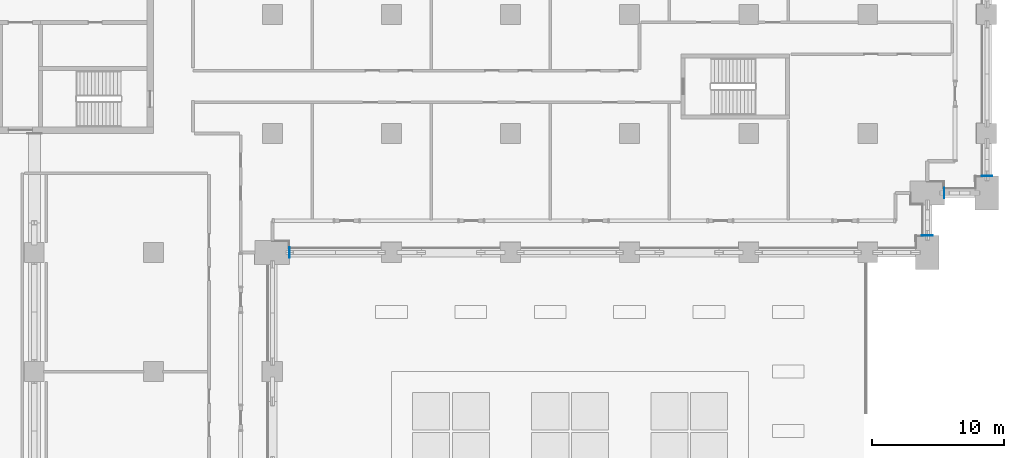
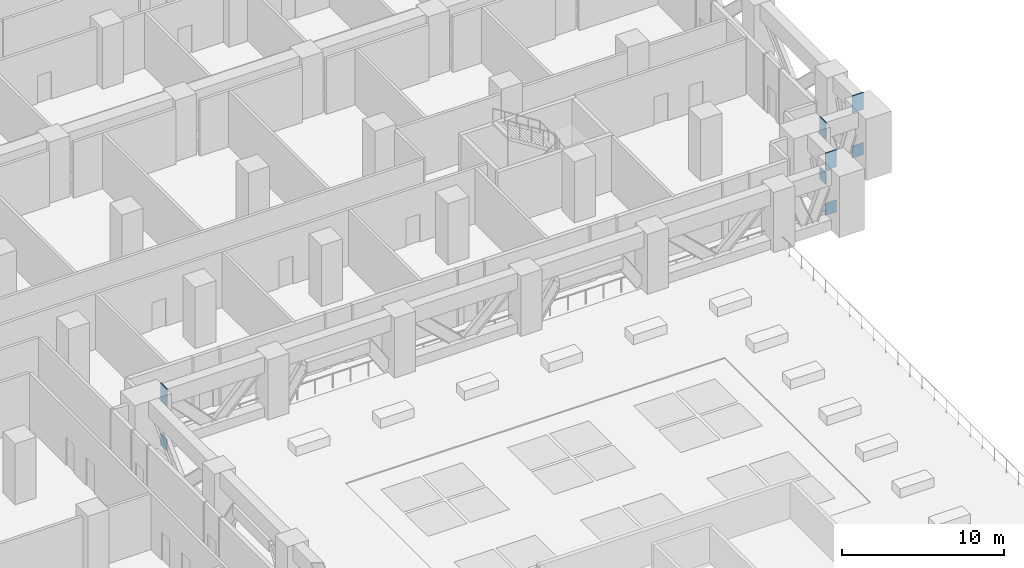
# One storey, part 25 of 31: 8 discrete accessories.
"""IFC4 building model written with IfcOpenShell, lengths in metres."""

from ifc_helpers import new_model, si_unit, direction, frame, origin, origin_2d, place, context, subcontext, project, spatial, rectangle, extrude, material, layer, layer_set, type_object, element, save


model = new_model("IFC4")

# Units and contexts
model_context = context("Model", 3, precision=1e-05, world=origin(), true_north=direction((0.0, 1.0)))
body_context = subcontext(model_context, "Body", "Model", "MODEL_VIEW")
ifc_project = project(units=[si_unit("LENGTHUNIT", "METRE"), si_unit("AREAUNIT", "SQUARE_METRE"), si_unit("VOLUMEUNIT", "CUBIC_METRE"), si_unit("PLANEANGLEUNIT", "RADIAN"), si_unit("MASSUNIT", "GRAM", prefix="KILO")], contexts=[model_context])

# Site, building, storey
site_placement = place(None, origin())
site = spatial("IfcSite", under=ifc_project, at=site_placement, CompositionType="ELEMENT")
building_placement = place(site_placement, origin())
building = spatial("IfcBuilding", under=site, at=building_placement, Name="Hunhe Ridgeline Campus", CompositionType="ELEMENT")
storey_placement = place(building_placement, frame((0.0, 0.0, 31.199951171875)))
storey = spatial("IfcBuildingStorey", under=building, at=storey_placement, Name="L06", CompositionType="ELEMENT", Elevation=31.199951171875)

# Discrete accessories
ifc_material = material(Name="Steel Q420", Category="steel")
ifc_layer_1 = layer(ifc_material, 0.030029296875)
ifc_layer_set_1 = layer_set([ifc_layer_1], Name="Gusset plate 800x1300x30 Steel Q420")
discrete_accessory_type_1 = type_object("IfcDiscreteAccessoryType", Name="Gusset plate 800x1300x30 Steel Q420", PredefinedType="BRACKET", material=ifc_layer_set_1)
for number, where, z_axis, x_axis, name in (
    (1, (46.284912109375, 54.0, 3.35009765625), (0.0, 0.0, 1.0), (-1.0, 0.0, 0.0), "Gusset plate BT1 L06 35"),
    (2, (94.5, 55.284912109375, 3.35009765625), (0.0, 0.0, 1.0), (0.0, -1.0, 0.0), "Gusset plate BT1 L06 37"),
    (3, (95.784912109375, 58.5, 3.35009765625), (0.0, 0.0, 1.0), (-1.0, 0.0, 0.0), "Gusset plate BT1 L06 39"),
    (4, (99.0, 59.784912109375, 3.35009765625), (0.0, 0.0, 1.0), (0.0, -1.0, 0.0), "Gusset plate BT1 L06 41"),
):
    element("IfcDiscreteAccessory", number, at=place(storey_placement, frame(where, z_axis=z_axis, x_axis=x_axis)), inside=storey, type_object=discrete_accessory_type_1, Name=name, PredefinedType="BRACKET", context=body_context, shape_type="SweptSolid", body=[
        extrude(rectangle(XDim=0.030029296875, YDim=0.800048828125, at=origin_2d()), origin(), (0.0, 0.0, 1.0), 1.300048828125),
    ])
ifc_layer_2 = layer(ifc_material, 0.030029296875)
ifc_layer_set_2 = layer_set([ifc_layer_2], Name="Gusset plate 800x900x30 Steel Q420")
discrete_accessory_type_2 = type_object("IfcDiscreteAccessoryType", Name="Gusset plate 800x900x30 Steel Q420", PredefinedType="BRACKET", material=ifc_layer_set_2)
for number, where, z_axis, x_axis, name in (
    (5, (46.284912109375, 54.0, -0.0498046875), (0.0, 0.0, 1.0), (-1.0, 0.0, 0.0), "Gusset plate BT1 L06 36"),
    (6, (94.5, 55.284912109375, -0.0498046875), (0.0, 0.0, 1.0), (0.0, -1.0, 0.0), "Gusset plate BT1 L06 38"),
    (7, (95.784912109375, 58.5, -0.0498046875), (0.0, 0.0, 1.0), (-1.0, 0.0, 0.0), "Gusset plate BT1 L06 40"),
    (8, (99.0, 59.784912109375, -0.0498046875), (0.0, 0.0, 1.0), (0.0, -1.0, 0.0), "Gusset plate BT1 L06 42"),
):
    element("IfcDiscreteAccessory", number, at=place(storey_placement, frame(where, z_axis=z_axis, x_axis=x_axis)), inside=storey, type_object=discrete_accessory_type_2, Name=name, PredefinedType="BRACKET", context=body_context, shape_type="SweptSolid", body=[
        extrude(rectangle(XDim=0.030029296875, YDim=0.800048828125, at=origin_2d()), origin(), (0.0, 0.0, 1.0), 0.89990234375),
    ])

save(model, "model.ifc")
